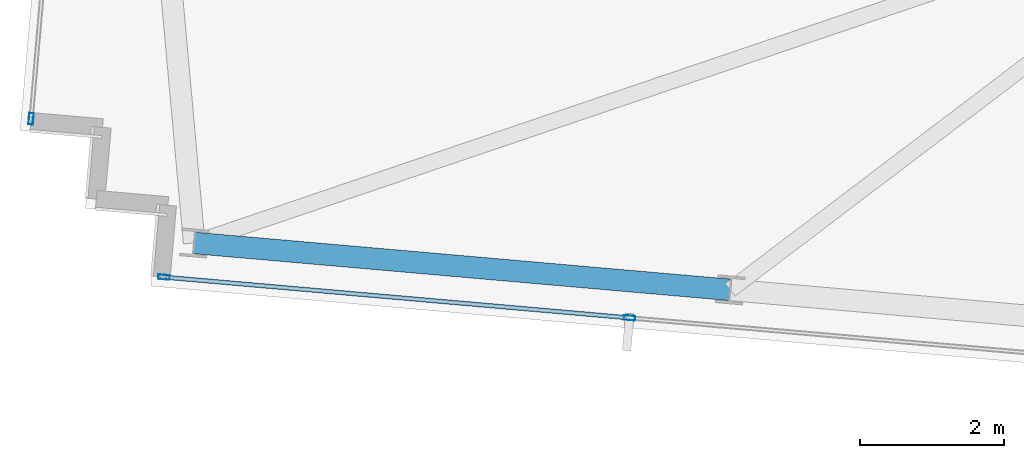
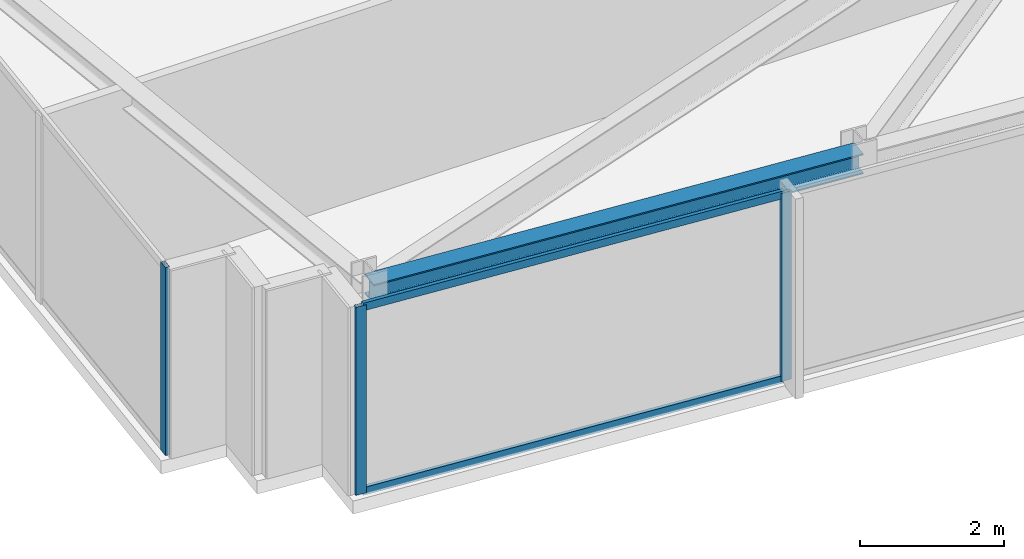
# One storey, part 2 of 32: 5 members, 1 beam, 2 elements without a shape of their own.
"""IFC4 building model written with IfcOpenShell, lengths in metres."""

from ifc_helpers import new_model, si_unit, direction, frame, origin, origin_2d, place, context, subcontext, project, spatial, hollow_rectangle, i_section, extrude, material, material_profile, profile_set, type_object, element, aggregate, save


model = new_model("IFC4")

# Units and contexts
model_context = context("Model", 3, precision=1e-05, world=origin(), true_north=direction((0.0, 1.0)))
body_context = subcontext(model_context, "Body", "Model", "MODEL_VIEW")
ifc_project = project(units=[si_unit("LENGTHUNIT", "METRE"), si_unit("AREAUNIT", "SQUARE_METRE"), si_unit("VOLUMEUNIT", "CUBIC_METRE"), si_unit("PLANEANGLEUNIT", "RADIAN"), si_unit("MASSUNIT", "GRAM", prefix="KILO")], contexts=[model_context])

# Site, building, storey
site_placement = place(None, origin())
site = spatial("IfcSite", under=ifc_project, at=site_placement, CompositionType="ELEMENT")
building_placement = place(site_placement, origin())
building = spatial("IfcBuilding", under=site, at=building_placement, Name="Yelkora Congress Tower", CompositionType="ELEMENT")
storey_placement = place(building_placement, frame((0.0, 0.0, 262.5)))
storey = spatial("IfcBuildingStorey", under=building, at=storey_placement, Name="L73", CompositionType="ELEMENT", Elevation=262.5)

# Beam
ifc_material_1 = material(Name="Steel S355J2", Category="steel")
ifc_material_profile_1 = material_profile(ifc_material_1, i_section(OverallWidth=0.300048828125, OverallDepth=0.340087890625, WebThickness=0.011962890625, FlangeThickness=0.021484375, FilletRadius=0.027099609375, at=origin_2d()), Name="HEB 340")
ifc_profile_set_1 = profile_set([ifc_material_profile_1], Name="Steel S355J2")
beam_type = type_object("IfcBeamType", Name="BM-SPAN-HEB340", PredefinedType="SPANDREL", material=ifc_profile_set_1)
beam_placement = place(storey_placement, frame((7.998046875, 20.097900390625, 3.010009765625), z_axis=(0.996193186297, -0.08717302092, 0.0), x_axis=(0.08717302092, 0.996193186297, 0.0)))
element("IfcBeam", 1, at=beam_placement, inside=storey, type_object=beam_type, Name="L73 Perimeter Beam 1", PredefinedType="SPANDREL", context=body_context, shape_type="SweptSolid", body=[
    extrude(i_section(OverallWidth=0.300048828125, OverallDepth=0.340087890625, WebThickness=0.011962890625, FlangeThickness=0.021484375, FilletRadius=0.027099609375, at=origin_2d()), origin(), (0.0, 0.0, 1.0), 7.4833984375),
])

# Curtain wall, member
ifc_material_2 = material(Name="Anodised aluminium and insulated glass", Category="aluminium")
curtain_wall_type = type_object("IfcCurtainWallType", Name="CW-SYS-B5", PredefinedType="NOTDEFINED", material=ifc_material_2)
curtain_wall_1_placement = place(storey_placement, origin())
curtain_wall_1 = element("IfcCurtainWall", 2, at=curtain_wall_1_placement, inside=storey, type_object=curtain_wall_type, Name="L73 Unitised Curtain Wall 5", PredefinedType="NOTDEFINED")
ifc_material_3 = material(Name="Anodised aluminium 6063-T6", Category="aluminium")
ifc_material_profile_2 = material_profile(ifc_material_3, hollow_rectangle(XDim=0.06494140625, YDim=0.159912109375, WallThickness=0.00390625, at=origin_2d()), Name="ALU 65x160x4")
ifc_profile_set_2 = profile_set([ifc_material_profile_2], Name="Anodised aluminium 6063-T6")
member_type_1 = type_object("IfcMemberType", Name="MEM-ML-B5", PredefinedType="MULLION", material=ifc_profile_set_2)
member_1_placement = place(storey_placement, frame((5.72998046875, 21.824462890625, 0.0), z_axis=(0.0, 0.0, 1.0), x_axis=(-0.996194785929, 0.08715473876, 0.0)))
member_1 = element("IfcMember", 3, at=member_1_placement, type_object=member_type_1, Name="CW-B5 mullion 1", PredefinedType="MULLION", context=body_context, shape_type="SweptSolid", body=[
    extrude(hollow_rectangle(XDim=0.06494140625, YDim=0.159912109375, WallThickness=0.00390625, at=origin_2d()), origin(), (0.0, 0.0, 1.0), 3.179931640625),
])
aggregate(curtain_wall_1, [member_1])

# Curtain wall, members
curtain_wall_2_placement = place(storey_placement, origin())
curtain_wall_2 = element("IfcCurtainWall", 4, at=curtain_wall_2_placement, inside=storey, type_object=curtain_wall_type, Name="L73 Unitised Curtain Wall 20", PredefinedType="NOTDEFINED")
member_2_placement = place(storey_placement, frame((14.0517578125, 19.05615234375, 0.0), z_axis=(0.0, 0.0, 1.0), x_axis=(-0.087156829793, -0.996194602987, 0.0)))
member_2 = element("IfcMember", 5, at=member_2_placement, type_object=member_type_1, Name="CW-B5 mullion 7", PredefinedType="MULLION", context=body_context, shape_type="SweptSolid", body=[
    extrude(hollow_rectangle(XDim=0.06494140625, YDim=0.159912109375, WallThickness=0.00390625, at=origin_2d()), origin(), (0.0, 0.0, 1.0), 3.179931640625),
])
member_3_placement = place(storey_placement, frame((7.57763671875, 19.62255859375, 0.0), z_axis=(0.0, 0.0, 1.0), x_axis=(-0.087156829793, -0.996194602987, 0.0)))
member_3 = element("IfcMember", 6, at=member_3_placement, type_object=member_type_1, Name="CW-B5 mullion 8", PredefinedType="MULLION", context=body_context, shape_type="SweptSolid", body=[
    extrude(hollow_rectangle(XDim=0.06494140625, YDim=0.159912109375, WallThickness=0.00390625, at=origin_2d()), origin(), (0.0, 0.0, 1.0), 3.179931640625),
])
ifc_material_profile_3 = material_profile(ifc_material_3, hollow_rectangle(XDim=0.06005859375, YDim=0.1298828125, WallThickness=0.00390625, at=origin_2d()), Name="ALU 60x130x4")
ifc_profile_set_3 = profile_set([ifc_material_profile_3], Name="Anodised aluminium 6063-T6")
member_type_2 = type_object("IfcMemberType", Name="MEM-TR-B5", PredefinedType="USERDEFINED", material=ifc_profile_set_3)
member_4_placement = place(storey_placement, frame((14.019287109375, 19.05908203125, 0.030029296875), z_axis=(-0.996194170551, 0.08716177236, 0.0), x_axis=(-0.08716177236, -0.996194170551, 0.0)))
member_4 = element("IfcMember", 7, at=member_4_placement, type_object=member_type_2, Name="CW-B5 transom 7.1", ObjectType="TRANSOM", PredefinedType="USERDEFINED", context=body_context, shape_type="SweptSolid", body=[
    extrude(hollow_rectangle(XDim=0.06005859375, YDim=0.1298828125, WallThickness=0.00390625, at=origin_2d()), origin(), (0.0, 0.0, 1.0), 6.433837890625),
])
member_5_placement = place(storey_placement, frame((14.019287109375, 19.05908203125, 3.14990234375), z_axis=(-0.996194170551, 0.08716177236, 0.0), x_axis=(-0.08716177236, -0.996194170551, 0.0)))
member_5 = element("IfcMember", 8, at=member_5_placement, type_object=member_type_2, Name="CW-B5 transom 7.2", ObjectType="TRANSOM", PredefinedType="USERDEFINED", context=body_context, shape_type="SweptSolid", body=[
    extrude(hollow_rectangle(XDim=0.06005859375, YDim=0.1298828125, WallThickness=0.00390625, at=origin_2d()), origin(), (0.0, 0.0, 1.0), 6.433837890625),
])
aggregate(curtain_wall_2, [member_2, member_3, member_4, member_5])

save(model, "model.ifc")
